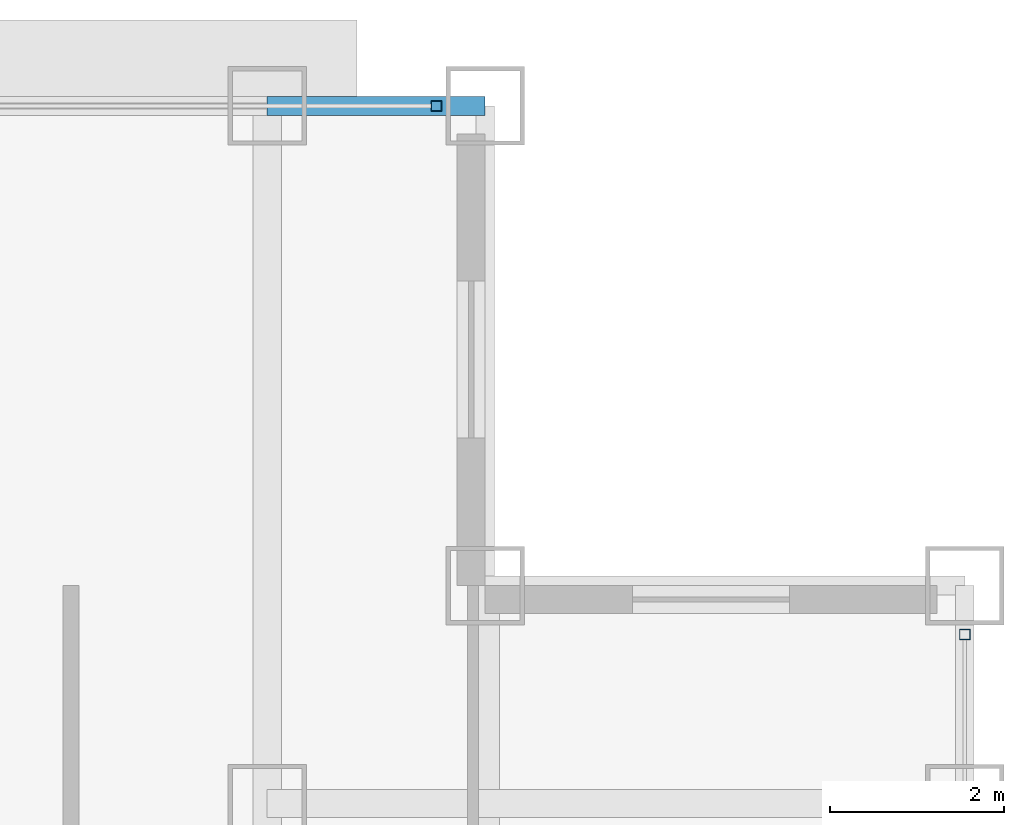
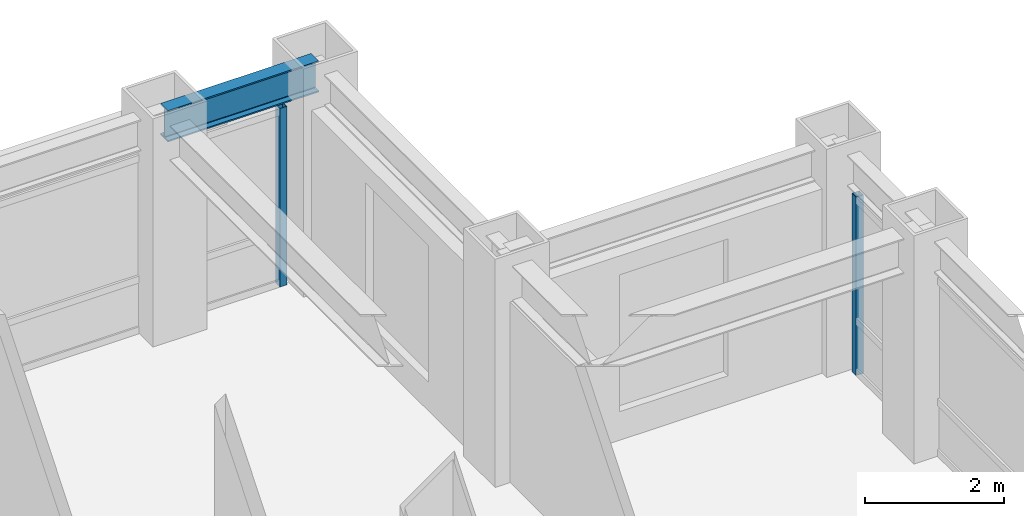
# One storey, part 16 of 27: 2 members, 1 beam, 2 elements without a shape of their own.
"""IFC4 building model written with IfcOpenShell, lengths in metres."""

from ifc_helpers import new_model, si_unit, direction, frame, origin, origin_2d, place, context, subcontext, project, spatial, hollow_rectangle, i_section, extrude, source, transform, mapped, material, material_profile, profile_set, type_object, element, aggregate, save


model = new_model("IFC4")

# Units and contexts
model_context = context("Model", 3, precision=1e-05, world=origin(), true_north=direction((0.0, 1.0)))
body_context = subcontext(model_context, "Body", "Model", "MODEL_VIEW")
ifc_project = project(units=[si_unit("LENGTHUNIT", "METRE"), si_unit("AREAUNIT", "SQUARE_METRE"), si_unit("VOLUMEUNIT", "CUBIC_METRE"), si_unit("PLANEANGLEUNIT", "RADIAN"), si_unit("MASSUNIT", "GRAM", prefix="KILO")], contexts=[model_context])

# Site, building, storey
site_placement = place(None, origin())
site = spatial("IfcSite", under=ifc_project, at=site_placement, CompositionType="ELEMENT")
building_placement = place(site_placement, origin())
building = spatial("IfcBuilding", under=site, at=building_placement, Name="Khorayat Bourse Tower", CompositionType="ELEMENT")
storey_placement = place(building_placement, frame((0.0, 0.0, 313.5)))
storey = spatial("IfcBuildingStorey", under=building, at=storey_placement, Name="L74", CompositionType="ELEMENT", Elevation=313.5)

# Beam
ifc_material_1 = material(Name="Steel ASTM A992 Grade 50", Category="steel")
ifc_material_profile_1 = material_profile(ifc_material_1, i_section(OverallWidth=0.214111328125, OverallDepth=0.549072265625, WebThickness=0.0146484375, FlangeThickness=0.023681640625, FilletRadius=0.013916015625, at=origin_2d()), Name="W530X138")
ifc_profile_set_1 = profile_set([ifc_material_profile_1], Name="Steel ASTM A992 Grade 50")
beam_type = type_object("IfcBeamType", Name="BM-SPAN-530", PredefinedType="SPANDREL", material=ifc_profile_set_1)
shared_shape_1 = source(origin(), body_context, "Body", "SweptSolid", [
    extrude(i_section(OverallWidth=0.214111328125, OverallDepth=0.549072265625, WebThickness=0.0146484375, FlangeThickness=0.023681640625, FilletRadius=0.013916015625, at=origin_2d()), origin(), (0.0, 0.0, 1.0), 2.5),
])
beam_placement = place(storey_placement, frame((20.0, 28.0, 3.505615234375), z_axis=(1.0, 0.0, 0.0), x_axis=(0.0, 1.0, 0.0)))
element("IfcBeam", 1, at=beam_placement, inside=storey, type_object=beam_type, Name="L74 BM-SPAN-530 BM-L74-SPN-044", PredefinedType="SPANDREL", context=body_context, shape_type="MappedRepresentation", body=[
    mapped(shared_shape_1, transform((0.0, 0.0, 0.0), scale=1.0)),
])

# Curtain wall, member
ifc_material_2 = material(Name="Aluminium EN AW-6063 T6", Category="aluminium")
curtain_wall_type = type_object("IfcCurtainWallType", Name="CW-SYS-04", PredefinedType="NOTDEFINED", material=ifc_material_2)
curtain_wall_1_placement = place(storey_placement, origin())
curtain_wall_1 = element("IfcCurtainWall", 2, at=curtain_wall_1_placement, inside=storey, type_object=curtain_wall_type, Name="L74 Curtain Wall CW-L74-N1", PredefinedType="NOTDEFINED")
ifc_material_profile_2 = material_profile(ifc_material_2, hollow_rectangle(XDim=0.1201171875, YDim=0.1201171875, WallThickness=0.0048828125, at=origin_2d()), Name="ALU 120x120x5")
ifc_profile_set_2 = profile_set([ifc_material_profile_2], Name="Aluminium EN AW-6063 T6")
member_type = type_object("IfcMemberType", Name="CWM-VERT-120", PredefinedType="MULLION", material=ifc_profile_set_2)
shared_shape_2 = source(origin(), body_context, "Body", "SweptSolid", [
    extrude(hollow_rectangle(XDim=0.1201171875, YDim=0.1201171875, WallThickness=0.0048828125, at=origin_2d()), origin(), (0.0, 0.0, 1.0), 3.1298828125),
])
member_1_placement = place(storey_placement, frame((21.93994140625, 28.0, 0.0), z_axis=(0.0, 0.0, 1.0), x_axis=(0.0, 1.0, 0.0)))
member_1 = element("IfcMember", 3, at=member_1_placement, type_object=member_type, Name="CW-L74-N1 Vertical Mullion 3", PredefinedType="MULLION", context=body_context, shape_type="MappedRepresentation", body=[
    mapped(shared_shape_2, transform((0.0, 0.0, 0.0), scale=1.0)),
])
aggregate(curtain_wall_1, [member_1])

curtain_wall_2_placement = place(storey_placement, origin())
curtain_wall_2 = element("IfcCurtainWall", 4, at=curtain_wall_2_placement, inside=storey, type_object=curtain_wall_type, Name="L74 Curtain Wall CW-L74-E1", PredefinedType="NOTDEFINED")
member_2_placement = place(storey_placement, frame((28.0, 21.93994140625, 0.0), z_axis=(0.0, 0.0, 1.0), x_axis=(-1.0, 0.0, 0.0)))
member_2 = element("IfcMember", 5, at=member_2_placement, type_object=member_type, Name="CW-L74-E1 Vertical Mullion 3", PredefinedType="MULLION", context=body_context, shape_type="MappedRepresentation", body=[
    mapped(shared_shape_2, transform((0.0, 0.0, 0.0), scale=1.0)),
])
aggregate(curtain_wall_2, [member_2])

save(model, "model.ifc")
